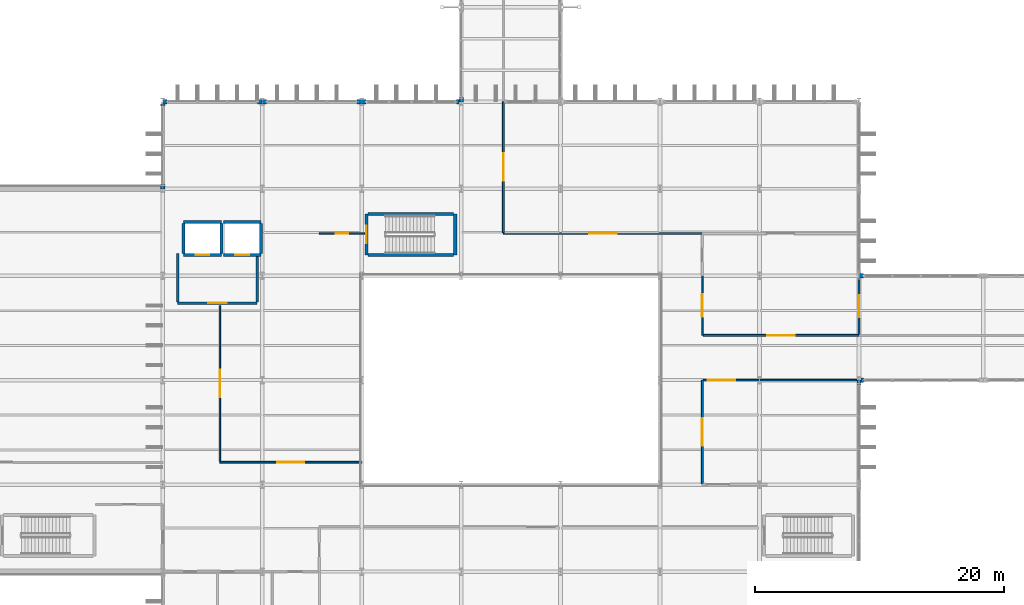
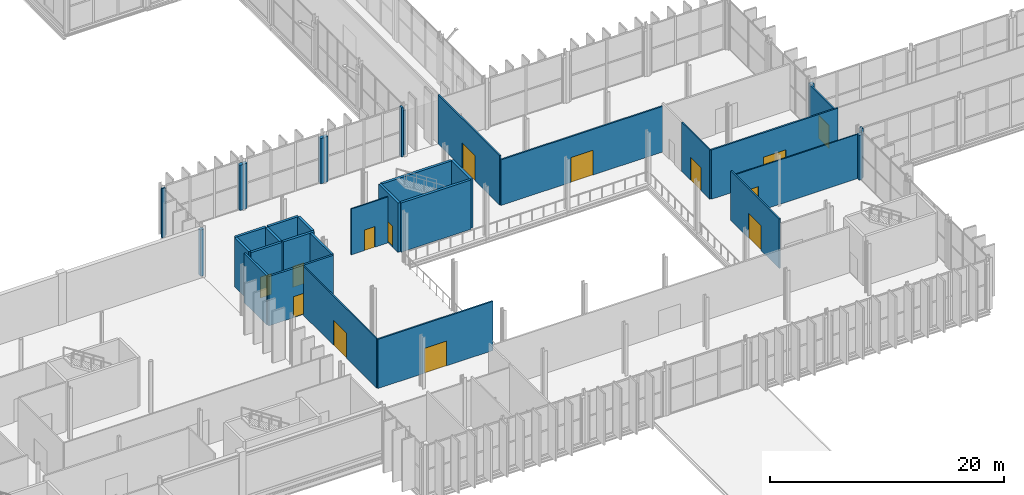
# One storey, part 122 of 147: 36 walls, 14 doors, 14 openings.
"""IFC4 building model written with IfcOpenShell, lengths in metres."""

from ifc_helpers import new_model, si_unit, direction, frame, frame_2d, origin, place, context, subcontext, project, spatial, rectangle, extrude, material, layer, layer_set, type_object, element, fill, save


model = new_model("IFC4")

# Units and contexts
model_context = context("Model", 3, precision=1e-05, world=origin(), true_north=direction((0.0, 1.0)))
body_context = subcontext(model_context, "Body", "Model", "MODEL_VIEW")
ifc_project = project(units=[si_unit("LENGTHUNIT", "METRE"), si_unit("AREAUNIT", "SQUARE_METRE"), si_unit("VOLUMEUNIT", "CUBIC_METRE"), si_unit("PLANEANGLEUNIT", "RADIAN"), si_unit("MASSUNIT", "GRAM", prefix="KILO")], contexts=[model_context])

# Site, building, storey
site_placement = place(None, origin())
site = spatial("IfcSite", under=ifc_project, at=site_placement, CompositionType="ELEMENT")
building_placement = place(site_placement, origin())
building = spatial("IfcBuilding", under=site, at=building_placement, Name="Vekula Escarpment Museum", CompositionType="ELEMENT")
storey_placement = place(building_placement, frame((0.0, 0.0, 7.800048828125)))
storey = spatial("IfcBuildingStorey", under=building, at=storey_placement, Name="L02", CompositionType="ELEMENT", Elevation=7.800048828125)

# Walls
ifc_material_1 = material(Name="Inkisi arkosic sandstone masonry", Category="masonry")
ifc_layer_1 = layer(ifc_material_1, 0.35009765625)
ifc_layer_set_1 = layer_set([ifc_layer_1], Name="Inkisi arkosic sandstone masonry")
wall_type_1 = type_object("IfcWallType", Name="WL-ALM-350", PredefinedType="SOLIDWALL", material=ifc_layer_set_1)
wall_1_placement = place(storey_placement, frame((126.0, 67.639892578125, 0.0), z_axis=(0.0, 0.0, 1.0), x_axis=(0.0, 1.0, 0.0)))
element("IfcWall", 1, at=wall_1_placement, inside=storey, type_object=wall_type_1, Name="Facade Jamb Pier L02-0351B", PredefinedType="SOLIDWALL", context=body_context, shape_type="SweptSolid", body=[
    extrude(rectangle(XDim=0.360107421875, YDim=0.35009765625, at=frame_2d((0.18017578125, 0.0))), origin(), (0.0, 0.0, 1.0), 4.695068359375),
])
wall_2_placement = place(storey_placement, frame((126.178955078125, 68.0, 0.0), z_axis=(0.0, 0.0, 1.0), x_axis=(1.0, 0.0, 0.0)))
element("IfcWall", 2, at=wall_2_placement, inside=storey, type_object=wall_type_1, Name="Facade Jamb Pier L02-0352A", PredefinedType="SOLIDWALL", context=body_context, shape_type="SweptSolid", body=[
    extrude(rectangle(XDim=0.18115234375, YDim=0.35009765625, at=frame_2d((0.090576171875, 0.0))), origin(), (0.0, 0.0, 1.0), 5.14990234375),
])
wall_3_placement = place(storey_placement, frame((126.360107421875, 76.39990234375, 0.0), z_axis=(0.0, 0.0, 1.0), x_axis=(-1.0, 0.0, 0.0)))
element("IfcWall", 3, at=wall_3_placement, inside=storey, type_object=wall_type_1, Name="Facade Jamb Pier L02-0421B", PredefinedType="SOLIDWALL", context=body_context, shape_type="SweptSolid", body=[
    extrude(rectangle(XDim=0.360107421875, YDim=0.35009765625, at=frame_2d((0.18017578125, 0.0))), origin(), (0.0, 0.0, 1.0), 4.744873046875),
])
wall_4_placement = place(storey_placement, frame((94.0, 90.760009765625, 0.0), z_axis=(0.0, 0.0, 1.0), x_axis=(0.0, -1.0, 0.0)))
element("IfcWall", 4, at=wall_4_placement, inside=storey, type_object=wall_type_1, Name="Facade Jamb Pier L02-0466B", PredefinedType="SOLIDWALL", context=body_context, shape_type="SweptSolid", body=[
    extrude(rectangle(XDim=0.360107421875, YDim=0.35009765625, at=frame_2d((0.18017578125, 0.0))), origin(), (0.0, 0.0, 1.0), 4.635009765625),
])
wall_5_placement = place(storey_placement, frame((93.821044921875, 90.39990234375, 0.0), z_axis=(0.0, 0.0, 1.0), x_axis=(-1.0, 0.0, 0.0)))
element("IfcWall", 5, at=wall_5_placement, inside=storey, type_object=wall_type_1, Name="Facade Jamb Pier L02-0467A", PredefinedType="SOLIDWALL", context=body_context, shape_type="SweptSolid", body=[
    extrude(rectangle(XDim=0.18115234375, YDim=0.35009765625, at=frame_2d((0.090576171875, 0.0))), origin(), (0.0, 0.0, 1.0), 5.14990234375),
])
for number, where, z_axis, x_axis, name in (
    (6, (86.360107421875, 90.39990234375, 0.0), (0.0, 0.0, 1.0), (-1.0, 0.0, 0.0), "Facade Jamb Pier L02-0468B"),
    (7, (86.0, 90.39990234375, 0.0), (0.0, 0.0, 1.0), (-1.0, 0.0, 0.0), "Facade Jamb Pier L02-0469A"),
    (8, (78.360107421875, 90.39990234375, 0.0), (0.0, 0.0, 1.0), (-1.0, 0.0, 0.0), "Facade Jamb Pier L02-0470B"),
    (9, (78.0, 90.39990234375, 0.0), (0.0, 0.0, 1.0), (-1.0, 0.0, 0.0), "Facade Jamb Pier L02-0471A"),
    (10, (70.360107421875, 90.39990234375, 0.0), (0.0, 0.0, 1.0), (-1.0, 0.0, 0.0), "Facade Jamb Pier L02-0472B"),
):
    element("IfcWall", number, at=place(storey_placement, frame(where, z_axis=z_axis, x_axis=x_axis)), inside=storey, type_object=wall_type_1, Name=name, PredefinedType="SOLIDWALL", context=body_context, shape_type="SweptSolid", body=[
        extrude(rectangle(XDim=0.360107421875, YDim=0.35009765625, at=frame_2d((0.18017578125, 0.0))), origin(), (0.0, 0.0, 1.0), 4.744873046875),
    ])
wall_6_placement = place(storey_placement, frame((70.0, 90.220947265625, 0.0), z_axis=(0.0, 0.0, 1.0), x_axis=(0.0, -1.0, 0.0)))
element("IfcWall", 11, at=wall_6_placement, inside=storey, type_object=wall_type_1, Name="Facade Jamb Pier L02-0473A", PredefinedType="SOLIDWALL", context=body_context, shape_type="SweptSolid", body=[
    extrude(rectangle(XDim=0.180908203125, YDim=0.35009765625, at=frame_2d((0.09033203125, 0.0))), origin(), (0.0, 0.0, 1.0), 5.14990234375),
])
wall_7_placement = place(storey_placement, frame((70.0, 83.760009765625, 0.0), z_axis=(0.0, 0.0, 1.0), x_axis=(0.0, -1.0, 0.0)))
element("IfcWall", 12, at=wall_7_placement, inside=storey, type_object=wall_type_1, Name="Facade Jamb Pier L02-0474B", PredefinedType="SOLIDWALL", context=body_context, shape_type="SweptSolid", body=[
    extrude(rectangle(XDim=0.360107421875, YDim=0.35009765625, at=frame_2d((0.18017578125, 0.0))), origin(), (0.0, 0.0, 1.0), 4.844970703125),
])

# Wall, opening, door
ifc_material_2 = material(Name="Concrete C35/45", Category="concrete")
ifc_layer_2 = layer(ifc_material_2, 0.25)
ifc_layer_set_2 = layer_set([ifc_layer_2], Name="Concrete C35/45")
wall_type_2 = type_object("IfcWallType", Name="WL-CORE-250", PredefinedType="SHEAR", material=ifc_layer_set_2)
wall_8_placement = place(storey_placement, frame((86.375, 78.074951171875, 0.0), z_axis=(0.0, 0.0, 1.0), x_axis=(0.0, 1.0, 0.0)))
wall_8 = element("IfcWall", 13, at=wall_8_placement, inside=storey, type_object=wall_type_2, Name="Stair Core Wall ST-09 L02 W", PredefinedType="SHEAR", context=body_context, shape_type="SweptSolid", body=[
    extrude(rectangle(XDim=3.2900390625, YDim=0.25, at=frame_2d((1.64501953125, 0.0))), origin(), (0.0, 0.0, 1.0), 5.14990234375),
])
opening_1_placement = place(wall_8_placement, frame((0.945068359375, 0.0, 0.0)))
opening_1 = element("IfcOpeningElement", 14, at=opening_1_placement, cuts=wall_8, Name="Opening DR-FD60", PredefinedType="OPENING", context=body_context, shape_type="SweptSolid", body=[
    extrude(rectangle(XDim=1.39990234375, YDim=2.199951171875, at=frame_2d((0.699951171875, 1.10009765625))), frame((0.0, 0.135009765625, 0.0), z_axis=(0.0, -1.0, 0.0), x_axis=(1.0, 0.0, 0.0)), (0.0, 0.0, 1.0), 0.27001953125),
])
ifc_material_3 = material(Name="Fire-rated steel stair door", Category="steel")
door_type_1 = type_object("IfcDoorType", Name="DR-STAIR-1400x2200", OperationType="NOTDEFINED", PredefinedType="DOOR", material=ifc_material_3)
door_1_placement = place(opening_1_placement, origin())
door_1 = element("IfcDoor", 15, at=door_1_placement, inside=storey, type_object=door_type_1, Name="Protected Exit Stair Door ST-09 L02", OperationType="SINGLE_SWING_RIGHT", OverallHeight=2.199951171875, OverallWidth=1.39990234375, PredefinedType="DOOR", context=body_context, shape_type="SweptSolid", body=[
    extrude(rectangle(XDim=1.39990234375, YDim=2.199951171875, at=frame_2d((0.699951171875, 1.10009765625))), frame((0.0, 0.02490234375, 0.0), z_axis=(0.0, -1.0, 0.0), x_axis=(1.0, 0.0, 0.0)), (0.0, 0.0, 1.0), 0.050048828125),
])
fill(opening_1, door_1)

# Walls
wall_9_placement = place(storey_placement, frame((93.52490234375, 78.074951171875, 0.0), z_axis=(0.0, 0.0, 1.0), x_axis=(0.0, 1.0, 0.0)))
element("IfcWall", 16, at=wall_9_placement, inside=storey, type_object=wall_type_2, Name="Stair Core Wall ST-09 L02 E", PredefinedType="SHEAR", context=body_context, shape_type="SweptSolid", body=[
    extrude(rectangle(XDim=3.2900390625, YDim=0.25, at=frame_2d((1.64501953125, 0.0))), origin(), (0.0, 0.0, 1.0), 5.14990234375),
])
for number, where, z_axis, x_axis, name in (
    (17, (86.50390625, 78.074951171875, 0.0), (0.0, 0.0, 1.0), (1.0, 0.0, 0.0), "Stair Core Wall ST-09 L02 S"),
    (18, (86.50390625, 81.364990234375, 0.0), (0.0, 0.0, 1.0), (1.0, 0.0, 0.0), "Stair Core Wall ST-09 L02 N"),
):
    element("IfcWall", number, at=place(storey_placement, frame(where, z_axis=z_axis, x_axis=x_axis)), inside=storey, type_object=wall_type_2, Name=name, PredefinedType="SHEAR", context=body_context, shape_type="SweptSolid", body=[
        extrude(rectangle(XDim=6.89208984375, YDim=0.25, at=frame_2d((3.446044921875, 0.0))), origin(), (0.0, 0.0, 1.0), 5.14990234375),
    ])

# Wall, opening, door
ifc_material_4 = material(Name="Concrete C35/45", Category="concrete")
ifc_layer_3 = layer(ifc_material_4, 0.199951171875)
ifc_layer_set_3 = layer_set([ifc_layer_3], Name="Concrete C35/45")
wall_type_3 = type_object("IfcWallType", Name="WL-FFL-200", PredefinedType="PARTITIONING", material=ifc_layer_set_3)
wall_10_placement = place(storey_placement, frame((71.199951171875, 74.199951171875, 0.0), z_axis=(0.0, 0.0, 1.0), x_axis=(1.0, 0.0, 0.0)))
wall_10 = element("IfcWall", 19, at=wall_10_placement, inside=storey, type_object=wall_type_3, Name="Lift Lobby Wall LP-01 L02 S", PredefinedType="PARTITIONING", context=body_context, shape_type="SweptSolid", body=[
    extrude(rectangle(XDim=6.400146484375, YDim=0.199951171875, at=frame_2d((3.2001953125, 0.0))), origin(), (0.0, 0.0, 1.0), 5.14990234375),
])
opening_2_placement = place(wall_10_placement, frame((2.449951171875, 0.0, 0.0)))
opening_2 = element("IfcOpeningElement", 20, at=opening_2_placement, cuts=wall_10, Name="Opening DR-FD60L", PredefinedType="OPENING", context=body_context, shape_type="SweptSolid", body=[
    extrude(rectangle(XDim=1.5, YDim=2.199951171875, at=frame_2d((0.75, 1.10009765625))), frame((0.0, 0.10986328125, 0.0), z_axis=(0.0, -1.0, 0.0), x_axis=(1.0, 0.0, 0.0)), (0.0, 0.0, 1.0), 0.219970703125),
])
ifc_material_5 = material(Name="Fire-rated glazed lobby door", Category="steel")
door_type_2 = type_object("IfcDoorType", Name="DR-FFLOB-1500x2200", OperationType="NOTDEFINED", PredefinedType="DOOR", material=ifc_material_5)
door_2_placement = place(opening_2_placement, origin())
door_2 = element("IfcDoor", 21, at=door_2_placement, inside=storey, type_object=door_type_2, Name="Lift Lobby Fire Door LP-01 L02", OperationType="SINGLE_SWING_RIGHT", OverallHeight=2.199951171875, OverallWidth=1.5, PredefinedType="DOOR", context=body_context, shape_type="SweptSolid", body=[
    extrude(rectangle(XDim=1.5, YDim=2.199951171875, at=frame_2d((0.75, 1.10009765625))), frame((0.0, 0.02490234375, 0.0), z_axis=(0.0, -1.0, 0.0), x_axis=(1.0, 0.0, 0.0)), (0.0, 0.0, 1.0), 0.050048828125),
])
fill(opening_2, door_2)

# Walls
wall_11_placement = place(storey_placement, frame((71.199951171875, 74.303955078125, 0.0), z_axis=(0.0, 0.0, 1.0), x_axis=(0.0, 1.0, 0.0)))
element("IfcWall", 22, at=wall_11_placement, inside=storey, type_object=wall_type_3, Name="Lift Lobby Wall LP-01 L02 W", PredefinedType="PARTITIONING", context=body_context, shape_type="SweptSolid", body=[
    extrude(rectangle(XDim=3.89599609375, YDim=0.199951171875, at=frame_2d((1.947998046875, 0.0))), origin(), (0.0, 0.0, 1.0), 5.14990234375),
])
wall_12_placement = place(storey_placement, frame((77.60009765625, 74.303955078125, 0.0), z_axis=(0.0, 0.0, 1.0), x_axis=(0.0, 1.0, 0.0)))
element("IfcWall", 23, at=wall_12_placement, inside=storey, type_object=wall_type_3, Name="Lift Lobby Wall LP-01 L02 E", PredefinedType="PARTITIONING", context=body_context, shape_type="SweptSolid", body=[
    extrude(rectangle(XDim=3.652099609375, YDim=0.199951171875, at=frame_2d((1.826171875, 0.0))), origin(), (0.0, 0.0, 1.0), 5.14990234375),
])

# Wall, opening, door
ifc_material_6 = material(Name="Lightweight studio partition", Category="gypsum")
ifc_layer_4 = layer(ifc_material_6, 0.1201171875)
ifc_layer_set_4 = layer_set([ifc_layer_4], Name="Lightweight studio partition")
wall_type_4 = type_object("IfcWallType", Name="WL-PART-120", PredefinedType="PARTITIONING", material=ifc_layer_set_4)
wall_13_placement = place(storey_placement, frame((74.60009765625, 61.47900390625, 0.0), z_axis=(0.0, 0.0, 1.0), x_axis=(0.0, 1.0, 0.0)))
wall_13 = element("IfcWall", 24, at=wall_13_placement, inside=storey, type_object=wall_type_4, Name="Interior Partition WL-INT-L02-0030", PredefinedType="PARTITIONING", context=body_context, shape_type="SweptSolid", body=[
    extrude(rectangle(XDim=12.52099609375, YDim=0.1201171875, at=frame_2d((6.260498046875, 0.0))), origin(), (0.0, 0.0, 1.0), 5.14990234375),
])
opening_3_placement = place(wall_13_placement, frame((5.160400390625, 0.0, 0.0)))
opening_3 = element("IfcOpeningElement", 25, at=opening_3_placement, cuts=wall_13, Name="Opening DR-GL22", PredefinedType="OPENING", context=body_context, shape_type="SweptSolid", body=[
    extrude(rectangle(XDim=2.199951171875, YDim=2.60009765625, at=frame_2d((1.10009765625, 1.300048828125))), frame((0.0, 0.070068359375, 0.0), z_axis=(0.0, -1.0, 0.0), x_axis=(1.0, 0.0, 0.0)), (0.0, 0.0, 1.0), 0.14013671875),
])
ifc_material_7 = material(Name="Double acoustic timber gallery door", Category="wood")
door_type_3 = type_object("IfcDoorType", Name="DR-GAL-2200x2600", OperationType="NOTDEFINED", PredefinedType="DOOR", material=ifc_material_7)
door_3_placement = place(opening_3_placement, origin())
door_3 = element("IfcDoor", 26, at=door_3_placement, inside=storey, type_object=door_type_3, Name="Interior Door L02-028", OperationType="SINGLE_SWING_RIGHT", OverallHeight=2.60009765625, OverallWidth=2.199951171875, PredefinedType="DOOR", context=body_context, shape_type="SweptSolid", body=[
    extrude(rectangle(XDim=2.199951171875, YDim=2.60009765625, at=frame_2d((1.10009765625, 1.300048828125))), frame((0.0, 0.02490234375, 0.0), z_axis=(0.0, -1.0, 0.0), x_axis=(1.0, 0.0, 0.0)), (0.0, 0.0, 1.0), 0.050048828125),
])
fill(opening_3, door_3)

wall_14_placement = place(storey_placement, frame((113.39990234375, 71.60009765625, 0.0), z_axis=(0.0, 0.0, 1.0), x_axis=(0.0, 1.0, 0.0)))
wall_14 = element("IfcWall", 27, at=wall_14_placement, inside=storey, type_object=wall_type_4, Name="Interior Partition WL-INT-L02-0033", PredefinedType="PARTITIONING", context=body_context, shape_type="SweptSolid", body=[
    extrude(rectangle(XDim=4.7998046875, YDim=0.1201171875, at=frame_2d((2.39990234375, 0.0))), origin(), (0.0, 0.0, 1.0), 5.14990234375),
])
opening_4_placement = place(wall_14_placement, frame((1.5, 0.0, 0.0)))
opening_4 = element("IfcOpeningElement", 28, at=opening_4_placement, cuts=wall_14, Name="Opening DR-GL18", PredefinedType="OPENING", context=body_context, shape_type="SweptSolid", body=[
    extrude(rectangle(XDim=1.800048828125, YDim=2.39990234375, at=frame_2d((0.89990234375, 1.199951171875))), frame((0.0, 0.070068359375, 0.0), z_axis=(0.0, -1.0, 0.0), x_axis=(1.0, 0.0, 0.0)), (0.0, 0.0, 1.0), 0.14013671875),
])
ifc_material_8 = material(Name="Double glazed gallery portal door", Category="steel")
door_type_4 = type_object("IfcDoorType", Name="DR-GAL-1800x2400", OperationType="NOTDEFINED", PredefinedType="DOOR", material=ifc_material_8)
door_4_placement = place(opening_4_placement, origin())
door_4 = element("IfcDoor", 29, at=door_4_placement, inside=storey, type_object=door_type_4, Name="Interior Door L02-031", OperationType="SINGLE_SWING_LEFT", OverallHeight=2.39990234375, OverallWidth=1.800048828125, PredefinedType="DOOR", context=body_context, shape_type="SweptSolid", body=[
    extrude(rectangle(XDim=1.800048828125, YDim=2.39990234375, at=frame_2d((0.89990234375, 1.199951171875))), frame((0.0, 0.02490234375, 0.0), z_axis=(0.0, -1.0, 0.0), x_axis=(1.0, 0.0, 0.0)), (0.0, 0.0, 1.0), 0.050048828125),
])
fill(opening_4, door_4)

wall_15_placement = place(storey_placement, frame((82.60009765625, 79.800048828125, 0.0), z_axis=(0.0, 0.0, 1.0), x_axis=(1.0, 0.0, 0.0)))
wall_15 = element("IfcWall", 30, at=wall_15_placement, inside=storey, type_object=wall_type_4, Name="Interior Partition WL-INT-L02-0036", PredefinedType="PARTITIONING", context=body_context, shape_type="SweptSolid", body=[
    extrude(rectangle(XDim=3.64599609375, YDim=0.1201171875, at=frame_2d((1.822998046875, 0.0))), origin(), (0.0, 0.0, 1.0), 4.804931640625),
])
opening_5_placement = place(wall_15_placement, frame((1.322998046875, 0.0, 0.0)))
opening_5 = element("IfcOpeningElement", 31, at=opening_5_placement, cuts=wall_15, Name="Opening DR-OF10", PredefinedType="OPENING", context=body_context, shape_type="SweptSolid", body=[
    extrude(rectangle(XDim=1.0, YDim=2.14990234375, at=frame_2d((0.5, 1.074951171875))), frame((0.0, 0.070068359375, 0.0), z_axis=(0.0, -1.0, 0.0), x_axis=(1.0, 0.0, 0.0)), (0.0, 0.0, 1.0), 0.14013671875),
])
ifc_material_9 = material(Name="Solid core timber study door", Category="wood")
door_type_5 = type_object("IfcDoorType", Name="DR-OFF-1000x2150", OperationType="NOTDEFINED", PredefinedType="DOOR", material=ifc_material_9)
door_5_placement = place(opening_5_placement, origin())
door_5 = element("IfcDoor", 32, at=door_5_placement, inside=storey, type_object=door_type_5, Name="Interior Door L02-034", OperationType="SINGLE_SWING_RIGHT", OverallHeight=2.14990234375, OverallWidth=1.0, PredefinedType="DOOR", context=body_context, shape_type="SweptSolid", body=[
    extrude(rectangle(XDim=1.0, YDim=2.14990234375, at=frame_2d((0.5, 1.074951171875))), frame((0.0, 0.02490234375, 0.0), z_axis=(0.0, -1.0, 0.0), x_axis=(1.0, 0.0, 0.0)), (0.0, 0.0, 1.0), 0.050048828125),
])
fill(opening_5, door_5)

wall_16_placement = place(storey_placement, frame((113.48388671875, 68.0, 0.0), z_axis=(0.0, 0.0, 1.0), x_axis=(1.0, 0.0, 0.0)))
wall_16 = element("IfcWall", 33, at=wall_16_placement, inside=storey, type_object=wall_type_4, Name="Interior Partition WL-INT-L02-0045", PredefinedType="PARTITIONING", context=body_context, shape_type="SweptSolid", body=[
    extrude(rectangle(XDim=12.337158203125, YDim=0.1201171875, at=frame_2d((6.16845703125, 0.0))), origin(), (0.0, 0.0, 1.0), 4.635009765625),
])
opening_6_placement = place(wall_16_placement, frame((0.35009765625, 0.0, 0.0)))
opening_6 = element("IfcOpeningElement", 34, at=opening_6_placement, cuts=wall_16, Name="Opening DR-GL22", PredefinedType="OPENING", context=body_context, shape_type="SweptSolid", body=[
    extrude(rectangle(XDim=2.199951171875, YDim=2.60009765625, at=frame_2d((1.10009765625, 1.300048828125))), frame((0.0, 0.070068359375, 0.0), z_axis=(0.0, -1.0, 0.0), x_axis=(1.0, 0.0, 0.0)), (0.0, 0.0, 1.0), 0.14013671875),
])
door_6_placement = place(opening_6_placement, origin())
door_6 = element("IfcDoor", 35, at=door_6_placement, inside=storey, type_object=door_type_3, Name="Interior Door L02-043", OperationType="SINGLE_SWING_LEFT", OverallHeight=2.60009765625, OverallWidth=2.199951171875, PredefinedType="DOOR", context=body_context, shape_type="SweptSolid", body=[
    extrude(rectangle(XDim=2.199951171875, YDim=2.60009765625, at=frame_2d((1.10009765625, 1.300048828125))), frame((0.0, 0.02490234375, 0.0), z_axis=(0.0, -1.0, 0.0), x_axis=(1.0, 0.0, 0.0)), (0.0, 0.0, 1.0), 0.050048828125),
])
fill(opening_6, door_6)

ifc_material_10 = material(Name="Gypsum board dry-lined partition", Category="gypsum")
ifc_layer_5 = layer(ifc_material_10, 0.14990234375)
ifc_layer_set_5 = layer_set([ifc_layer_5], Name="Gypsum board dry-lined partition")
wall_type_5 = type_object("IfcWallType", Name="WL-PART-150", PredefinedType="PARTITIONING", material=ifc_layer_set_5)
wall_17_placement = place(storey_placement, frame((74.60009765625, 61.39990234375, 0.0), z_axis=(0.0, 0.0, 1.0), x_axis=(1.0, 0.0, 0.0)))
wall_17 = element("IfcWall", 36, at=wall_17_placement, inside=storey, type_object=wall_type_5, Name="Interior Partition WL-INT-L02-0029", PredefinedType="PARTITIONING", context=body_context, shape_type="SweptSolid", body=[
    extrude(rectangle(XDim=11.39990234375, YDim=0.14990234375, at=frame_2d((5.699951171875, 0.0))), origin(), (0.0, 0.0, 1.0), 5.14990234375),
])
opening_7_placement = place(wall_17_placement, frame((4.60009765625, 0.0, 0.0)))
opening_7 = element("IfcOpeningElement", 37, at=opening_7_placement, cuts=wall_17, Name="Opening DR-GL22", PredefinedType="OPENING", context=body_context, shape_type="SweptSolid", body=[
    extrude(rectangle(XDim=2.199951171875, YDim=2.60009765625, at=frame_2d((1.10009765625, 1.300048828125))), frame((0.0, 0.0849609375, 0.0), z_axis=(0.0, -1.0, 0.0), x_axis=(1.0, 0.0, 0.0)), (0.0, 0.0, 1.0), 0.169921875),
])
door_7_placement = place(opening_7_placement, origin())
door_7 = element("IfcDoor", 38, at=door_7_placement, inside=storey, type_object=door_type_3, Name="Interior Door L02-027", OperationType="SINGLE_SWING_LEFT", OverallHeight=2.60009765625, OverallWidth=2.199951171875, PredefinedType="DOOR", context=body_context, shape_type="SweptSolid", body=[
    extrude(rectangle(XDim=2.199951171875, YDim=2.60009765625, at=frame_2d((1.10009765625, 1.300048828125))), frame((0.0, 0.02490234375, 0.0), z_axis=(0.0, -1.0, 0.0), x_axis=(1.0, 0.0, 0.0)), (0.0, 0.0, 1.0), 0.050048828125),
])
fill(opening_7, door_7)

wall_18_placement = place(storey_placement, frame((97.39990234375, 79.800048828125, 0.0), z_axis=(0.0, 0.0, 1.0), x_axis=(1.0, 0.0, 0.0)))
wall_18 = element("IfcWall", 39, at=wall_18_placement, inside=storey, type_object=wall_type_5, Name="Interior Partition WL-INT-L02-0035", PredefinedType="PARTITIONING", context=body_context, shape_type="SweptSolid", body=[
    extrude(rectangle(XDim=16.0, YDim=0.14990234375, at=frame_2d((8.0, 0.0))), origin(), (0.0, 0.0, 1.0), 4.77490234375),
])
opening_8_placement = place(wall_18_placement, frame((6.89990234375, 0.0, 0.0)))
opening_8 = element("IfcOpeningElement", 40, at=opening_8_placement, cuts=wall_18, Name="Opening DR-GL22", PredefinedType="OPENING", context=body_context, shape_type="SweptSolid", body=[
    extrude(rectangle(XDim=2.199951171875, YDim=2.60009765625, at=frame_2d((1.10009765625, 1.300048828125))), frame((0.0, 0.0849609375, 0.0), z_axis=(0.0, -1.0, 0.0), x_axis=(1.0, 0.0, 0.0)), (0.0, 0.0, 1.0), 0.169921875),
])
door_8_placement = place(opening_8_placement, origin())
door_8 = element("IfcDoor", 41, at=door_8_placement, inside=storey, type_object=door_type_3, Name="Interior Door L02-033", OperationType="SINGLE_SWING_LEFT", OverallHeight=2.60009765625, OverallWidth=2.199951171875, PredefinedType="DOOR", context=body_context, shape_type="SweptSolid", body=[
    extrude(rectangle(XDim=2.199951171875, YDim=2.60009765625, at=frame_2d((1.10009765625, 1.300048828125))), frame((0.0, 0.02490234375, 0.0), z_axis=(0.0, -1.0, 0.0), x_axis=(1.0, 0.0, 0.0)), (0.0, 0.0, 1.0), 0.050048828125),
])
fill(opening_8, door_8)

wall_19_placement = place(storey_placement, frame((97.39990234375, 79.87890625, 0.0), z_axis=(0.0, 0.0, 1.0), x_axis=(0.0, 1.0, 0.0)))
wall_19 = element("IfcWall", 42, at=wall_19_placement, inside=storey, type_object=wall_type_5, Name="Interior Partition WL-INT-L02-0041", PredefinedType="PARTITIONING", context=body_context, shape_type="SweptSolid", body=[
    extrude(rectangle(XDim=10.52099609375, YDim=0.14990234375, at=frame_2d((5.260498046875, 0.0))), origin(), (0.0, 0.0, 1.0), 5.14990234375),
])
opening_9_placement = place(wall_19_placement, frame((4.160400390625, 0.0, 0.0)))
opening_9 = element("IfcOpeningElement", 43, at=opening_9_placement, cuts=wall_19, Name="Opening DR-GL22", PredefinedType="OPENING", context=body_context, shape_type="SweptSolid", body=[
    extrude(rectangle(XDim=2.199951171875, YDim=2.60009765625, at=frame_2d((1.10009765625, 1.300048828125))), frame((0.0, 0.0849609375, 0.0), z_axis=(0.0, -1.0, 0.0), x_axis=(1.0, 0.0, 0.0)), (0.0, 0.0, 1.0), 0.169921875),
])
door_9_placement = place(opening_9_placement, origin())
door_9 = element("IfcDoor", 44, at=door_9_placement, inside=storey, type_object=door_type_3, Name="Interior Door L02-039", OperationType="SINGLE_SWING_LEFT", OverallHeight=2.60009765625, OverallWidth=2.199951171875, PredefinedType="DOOR", context=body_context, shape_type="SweptSolid", body=[
    extrude(rectangle(XDim=2.199951171875, YDim=2.60009765625, at=frame_2d((1.10009765625, 1.300048828125))), frame((0.0, 0.02490234375, 0.0), z_axis=(0.0, -1.0, 0.0), x_axis=(1.0, 0.0, 0.0)), (0.0, 0.0, 1.0), 0.050048828125),
])
fill(opening_9, door_9)

wall_20_placement = place(storey_placement, frame((126.0, 71.68408203125, 0.0), z_axis=(0.0, 0.0, 1.0), x_axis=(0.0, 1.0, 0.0)))
wall_20 = element("IfcWall", 45, at=wall_20_placement, inside=storey, type_object=wall_type_5, Name="Interior Partition WL-INT-L02-0044", PredefinedType="PARTITIONING", context=body_context, shape_type="SweptSolid", body=[
    extrude(rectangle(XDim=4.536865234375, YDim=0.14990234375, at=frame_2d((2.2685546875, 0.0))), origin(), (0.0, 0.0, 1.0), 4.695068359375),
])
opening_10_placement = place(wall_20_placement, frame((1.368408203125, 0.0, 0.0)))
opening_10 = element("IfcOpeningElement", 46, at=opening_10_placement, cuts=wall_20, Name="Opening DR-GL18", PredefinedType="OPENING", context=body_context, shape_type="SweptSolid", body=[
    extrude(rectangle(XDim=1.800048828125, YDim=2.39990234375, at=frame_2d((0.89990234375, 1.199951171875))), frame((0.0, 0.0849609375, 0.0), z_axis=(0.0, -1.0, 0.0), x_axis=(1.0, 0.0, 0.0)), (0.0, 0.0, 1.0), 0.169921875),
])
door_10_placement = place(opening_10_placement, origin())
door_10 = element("IfcDoor", 47, at=door_10_placement, inside=storey, type_object=door_type_4, Name="Interior Door L02-042", OperationType="SINGLE_SWING_RIGHT", OverallHeight=2.39990234375, OverallWidth=1.800048828125, PredefinedType="DOOR", context=body_context, shape_type="SweptSolid", body=[
    extrude(rectangle(XDim=1.800048828125, YDim=2.39990234375, at=frame_2d((0.89990234375, 1.199951171875))), frame((0.0, 0.02490234375, 0.0), z_axis=(0.0, -1.0, 0.0), x_axis=(1.0, 0.0, 0.0)), (0.0, 0.0, 1.0), 0.050048828125),
])
fill(opening_10, door_10)

ifc_material_11 = material(Name="Gypsum board gallery partition", Category="gypsum")
ifc_layer_6 = layer(ifc_material_11, 0.159912109375)
ifc_layer_set_6 = layer_set([ifc_layer_6], Name="Gypsum board gallery partition")
wall_type_6 = type_object("IfcWallType", Name="WL-PART-160", PredefinedType="PARTITIONING", material=ifc_layer_set_6)
wall_21_placement = place(storey_placement, frame((113.39990234375, 59.678955078125, 0.0), z_axis=(0.0, 0.0, 1.0), x_axis=(0.0, 1.0, 0.0)))
wall_21 = element("IfcWall", 48, at=wall_21_placement, inside=storey, type_object=wall_type_6, Name="Interior Partition WL-INT-L02-0034", PredefinedType="PARTITIONING", context=body_context, shape_type="SweptSolid", body=[
    extrude(rectangle(XDim=8.321044921875, YDim=0.159912109375, at=frame_2d((4.16064453125, 0.0))), origin(), (0.0, 0.0, 1.0), 5.14990234375),
])
opening_11_placement = place(wall_21_placement, frame((3.060546875, 0.0, 0.0)))
opening_11 = element("IfcOpeningElement", 49, at=opening_11_placement, cuts=wall_21, Name="Opening DR-GL22", PredefinedType="OPENING", context=body_context, shape_type="SweptSolid", body=[
    extrude(rectangle(XDim=2.199951171875, YDim=2.60009765625, at=frame_2d((1.10009765625, 1.300048828125))), frame((0.0, 0.08984375, 0.0), z_axis=(0.0, -1.0, 0.0), x_axis=(1.0, 0.0, 0.0)), (0.0, 0.0, 1.0), 0.179931640625),
])
door_11_placement = place(opening_11_placement, origin())
door_11 = element("IfcDoor", 50, at=door_11_placement, inside=storey, type_object=door_type_3, Name="Interior Door L02-032", OperationType="SINGLE_SWING_RIGHT", OverallHeight=2.60009765625, OverallWidth=2.199951171875, PredefinedType="DOOR", context=body_context, shape_type="SweptSolid", body=[
    extrude(rectangle(XDim=2.199951171875, YDim=2.60009765625, at=frame_2d((1.10009765625, 1.300048828125))), frame((0.0, 0.02490234375, 0.0), z_axis=(0.0, -1.0, 0.0), x_axis=(1.0, 0.0, 0.0)), (0.0, 0.0, 1.0), 0.050048828125),
])
fill(opening_11, door_11)

wall_22_placement = place(storey_placement, frame((113.464111328125, 71.60009765625, 0.0), z_axis=(0.0, 0.0, 1.0), x_axis=(1.0, 0.0, 0.0)))
wall_22 = element("IfcWall", 51, at=wall_22_placement, inside=storey, type_object=wall_type_6, Name="Interior Partition WL-INT-L02-0043", PredefinedType="PARTITIONING", context=body_context, shape_type="SweptSolid", body=[
    extrude(rectangle(XDim=12.535888671875, YDim=0.159912109375, at=frame_2d((6.26806640625, 0.0))), origin(), (0.0, 0.0, 1.0), 5.14990234375),
])
opening_12_placement = place(wall_22_placement, frame((5.16796875, 0.0, 0.0)))
opening_12 = element("IfcOpeningElement", 52, at=opening_12_placement, cuts=wall_22, Name="Opening DR-GL22", PredefinedType="OPENING", context=body_context, shape_type="SweptSolid", body=[
    extrude(rectangle(XDim=2.199951171875, YDim=2.60009765625, at=frame_2d((1.10009765625, 1.300048828125))), frame((0.0, 0.08984375, 0.0), z_axis=(0.0, -1.0, 0.0), x_axis=(1.0, 0.0, 0.0)), (0.0, 0.0, 1.0), 0.179931640625),
])
door_12_placement = place(opening_12_placement, origin())
door_12 = element("IfcDoor", 53, at=door_12_placement, inside=storey, type_object=door_type_3, Name="Interior Door L02-041", OperationType="SINGLE_SWING_LEFT", OverallHeight=2.60009765625, OverallWidth=2.199951171875, PredefinedType="DOOR", context=body_context, shape_type="SweptSolid", body=[
    extrude(rectangle(XDim=2.199951171875, YDim=2.60009765625, at=frame_2d((1.10009765625, 1.300048828125))), frame((0.0, 0.02490234375, 0.0), z_axis=(0.0, -1.0, 0.0), x_axis=(1.0, 0.0, 0.0)), (0.0, 0.0, 1.0), 0.050048828125),
])
fill(opening_12, door_12)

ifc_material_12 = material(Name="Concrete C35/45", Category="concrete")
ifc_layer_7 = layer(ifc_material_12, 0.239990234375)
ifc_layer_set_7 = layer_set([ifc_layer_7], Name="Concrete C35/45")
wall_type_7 = type_object("IfcWallType", Name="WL-SHF-240", PredefinedType="SHEAR", material=ifc_layer_set_7)
wall_23_placement = place(storey_placement, frame((71.679931640625, 78.080078125, 0.0), z_axis=(0.0, 0.0, 1.0), x_axis=(1.0, 0.0, 0.0)))
wall_23 = element("IfcWall", 54, at=wall_23_placement, inside=storey, type_object=wall_type_7, Name="Lift Shaft Wall LP-01 L02 S", PredefinedType="SHEAR", context=body_context, shape_type="SweptSolid", body=[
    extrude(rectangle(XDim=3.0400390625, YDim=0.239990234375, at=frame_2d((1.52001953125, 0.0))), origin(), (0.0, 0.0, 1.0), 5.14990234375),
])
opening_13_placement = place(wall_23_placement, frame((0.969970703125, 0.0, 0.0)))
opening_13 = element("IfcOpeningElement", 55, at=opening_13_placement, cuts=wall_23, Name="Opening LD-PAX", PredefinedType="OPENING", context=body_context, shape_type="SweptSolid", body=[
    extrude(rectangle(XDim=1.10009765625, YDim=2.199951171875, at=frame_2d((0.550048828125, 1.10009765625))), frame((0.0, 0.1298828125, 0.0), z_axis=(0.0, -1.0, 0.0), x_axis=(1.0, 0.0, 0.0)), (0.0, 0.0, 1.0), 0.260009765625),
])
ifc_material_13 = material(Name="Brushed stainless steel sliding lift landing door", Category="steel")
door_type_6 = type_object("IfcDoorType", Name="DR-LD-PAX-1100", OperationType="DOUBLE_DOOR_SLIDING", PredefinedType="DOOR", material=ifc_material_13)
door_13_placement = place(opening_13_placement, origin())
door_13 = element("IfcDoor", 56, at=door_13_placement, inside=storey, type_object=door_type_6, Name="Sliding Lift Landing Door LP-01 L02", OperationType="DOUBLE_DOOR_SLIDING", OverallHeight=2.199951171875, OverallWidth=1.10009765625, PredefinedType="DOOR", context=body_context, shape_type="SweptSolid", body=[
    extrude(rectangle(XDim=1.10009765625, YDim=2.199951171875, at=frame_2d((0.550048828125, 1.10009765625))), frame((0.0, 0.02490234375, 0.0), z_axis=(0.0, -1.0, 0.0), x_axis=(1.0, 0.0, 0.0)), (0.0, 0.0, 1.0), 0.050048828125),
])
fill(opening_13, door_13)

# Walls
wall_24_placement = place(storey_placement, frame((71.679931640625, 80.719970703125, 0.0), z_axis=(0.0, 0.0, 1.0), x_axis=(1.0, 0.0, 0.0)))
element("IfcWall", 57, at=wall_24_placement, inside=storey, type_object=wall_type_7, Name="Lift Shaft Wall LP-01 L02 N", PredefinedType="SHEAR", context=body_context, shape_type="SweptSolid", body=[
    extrude(rectangle(XDim=3.0400390625, YDim=0.239990234375, at=frame_2d((1.52001953125, 0.0))), origin(), (0.0, 0.0, 1.0), 5.14990234375),
])
for number, where, z_axis, x_axis, name in (
    (58, (71.679931640625, 78.2041015625, 0.0), (0.0, 0.0, 1.0), (0.0, 1.0, 0.0), "Lift Shaft Wall LP-01 L02 W"),
    (59, (74.719970703125, 78.2041015625, 0.0), (0.0, 0.0, 1.0), (0.0, 1.0, 0.0), "Lift Shaft Wall LP-01 L02 E"),
):
    element("IfcWall", number, at=place(storey_placement, frame(where, z_axis=z_axis, x_axis=x_axis)), inside=storey, type_object=wall_type_7, Name=name, PredefinedType="SHEAR", context=body_context, shape_type="SweptSolid", body=[
        extrude(rectangle(XDim=2.391845703125, YDim=0.239990234375, at=frame_2d((1.19580078125, 0.0))), origin(), (0.0, 0.0, 1.0), 5.14990234375),
    ])

# Wall, opening, door
wall_25_placement = place(storey_placement, frame((74.8798828125, 78.080078125, 0.0), z_axis=(0.0, 0.0, 1.0), x_axis=(1.0, 0.0, 0.0)))
wall_25 = element("IfcWall", 60, at=wall_25_placement, inside=storey, type_object=wall_type_7, Name="Lift Shaft Wall LP-02 L02 S", PredefinedType="SHEAR", context=body_context, shape_type="SweptSolid", body=[
    extrude(rectangle(XDim=3.0400390625, YDim=0.239990234375, at=frame_2d((1.52001953125, 0.0))), origin(), (0.0, 0.0, 1.0), 5.14990234375),
])
opening_14_placement = place(wall_25_placement, frame((0.969970703125, 0.0, 0.0)))
opening_14 = element("IfcOpeningElement", 61, at=opening_14_placement, cuts=wall_25, Name="Opening LD-PAX", PredefinedType="OPENING", context=body_context, shape_type="SweptSolid", body=[
    extrude(rectangle(XDim=1.10009765625, YDim=2.199951171875, at=frame_2d((0.550048828125, 1.10009765625))), frame((0.0, 0.1298828125, 0.0), z_axis=(0.0, -1.0, 0.0), x_axis=(1.0, 0.0, 0.0)), (0.0, 0.0, 1.0), 0.260009765625),
])
door_14_placement = place(opening_14_placement, origin())
door_14 = element("IfcDoor", 62, at=door_14_placement, inside=storey, type_object=door_type_6, Name="Sliding Lift Landing Door LP-02 L02", OperationType="DOUBLE_DOOR_SLIDING", OverallHeight=2.199951171875, OverallWidth=1.10009765625, PredefinedType="DOOR", context=body_context, shape_type="SweptSolid", body=[
    extrude(rectangle(XDim=1.10009765625, YDim=2.199951171875, at=frame_2d((0.550048828125, 1.10009765625))), frame((0.0, 0.02490234375, 0.0), z_axis=(0.0, -1.0, 0.0), x_axis=(1.0, 0.0, 0.0)), (0.0, 0.0, 1.0), 0.050048828125),
])
fill(opening_14, door_14)

# Walls
wall_26_placement = place(storey_placement, frame((74.8798828125, 80.719970703125, 0.0), z_axis=(0.0, 0.0, 1.0), x_axis=(1.0, 0.0, 0.0)))
element("IfcWall", 63, at=wall_26_placement, inside=storey, type_object=wall_type_7, Name="Lift Shaft Wall LP-02 L02 N", PredefinedType="SHEAR", context=body_context, shape_type="SweptSolid", body=[
    extrude(rectangle(XDim=3.0400390625, YDim=0.239990234375, at=frame_2d((1.52001953125, 0.0))), origin(), (0.0, 0.0, 1.0), 5.14990234375),
])
wall_27_placement = place(storey_placement, frame((77.919921875, 78.2041015625, 0.0), z_axis=(0.0, 0.0, 1.0), x_axis=(0.0, 1.0, 0.0)))
element("IfcWall", 64, at=wall_27_placement, inside=storey, type_object=wall_type_7, Name="Lift Shaft Wall LP-02 L02 E", PredefinedType="SHEAR", context=body_context, shape_type="SweptSolid", body=[
    extrude(rectangle(XDim=2.391845703125, YDim=0.239990234375, at=frame_2d((1.19580078125, 0.0))), origin(), (0.0, 0.0, 1.0), 5.14990234375),
])

save(model, "model.ifc")
